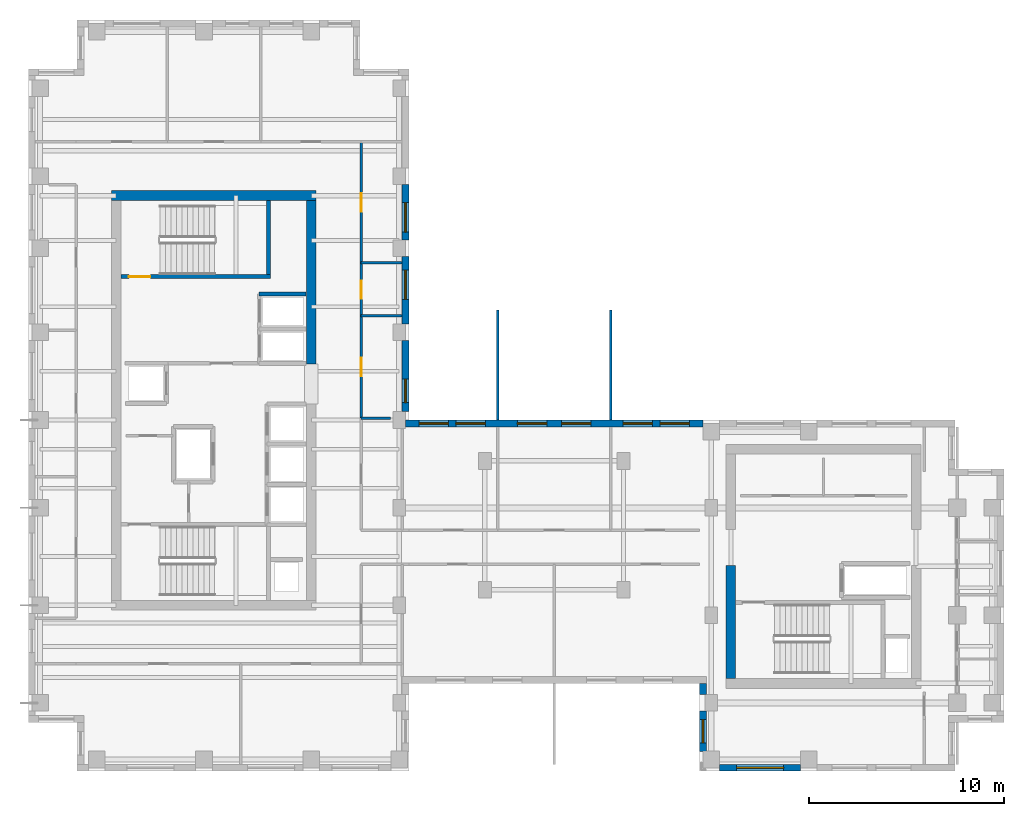
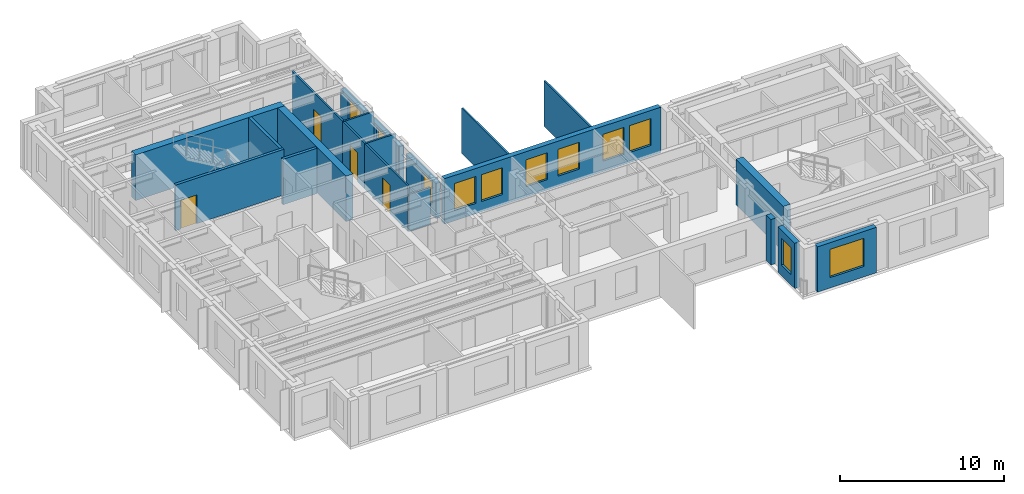
# One storey, part 5 of 10: 21 walls, 11 windows, 4 doors, 15 openings.
"""IFC4 building model written with IfcOpenShell, lengths in metres."""

import ifcopenshell
import ifcopenshell.guid

model = None  # the IFC model being written
_history = None  # IfcOwnerHistory: only IFC2X3 demands one
_inside = {}  # id of a spatial element -> (the spatial element, [elements in it])
_under = {}  # id of a project, library or spatial element -> (it, [spatial elements below it])
_declared = {}  # id of a project -> (the project, [libraries it declares])
_typed = {}  # id of a type object -> (the type object, [elements of that type])
_made_of = {}  # id of a material, layer set ... -> (it, [elements and type objects made of it])


def new_model(schema):
    """Start an empty IFC model of exactly this schema.

    Asked for "IFC4X3", IfcOpenShell would pick the latest addendum, in which some entities
    have other attributes; the version numbers below select the first issue.
    IFC2X3 requires an IfcOwnerHistory on every rooted entity: one is made here for all.
    """
    global model, _history
    if schema == "IFC4X3":
        model = ifcopenshell.file(schema_version=(4, 3, 0, 0))
    else:
        model = ifcopenshell.file(schema=schema)
    _inside.clear()
    _under.clear()
    _declared.clear()
    _typed.clear()
    _made_of.clear()
    _history = None
    if model.schema == "IFC2X3":
        org = make("IfcOrganization", Name="unknown")
        user = make(
            "IfcPersonAndOrganization",
            ThePerson=make("IfcPerson", FamilyName="unknown"),
            TheOrganization=org,
        )
        app = make(
            "IfcApplication",
            ApplicationDeveloper=org,
            Version="unknown",
            ApplicationFullName="unknown",
            ApplicationIdentifier="unknown",
        )
        _history = make(
            "IfcOwnerHistory",
            OwningUser=user,
            OwningApplication=app,
            ChangeAction="ADDED",
            CreationDate=0,
        )
    return model


def make(cls, **values):
    """One entity of the class cls with the attributes given. An attribute that is None is left unset."""
    return model.create_entity(
        cls, **{name: value for name, value in values.items() if value is not None}
    )


def rooted(cls, **values):
    """An entity with a GlobalId (a new one), such as an element, a storey or a relation."""
    return make(cls, GlobalId=ifcopenshell.guid.new(), OwnerHistory=_history, **values)


def si_unit(unit_type, name, prefix=None):
    """IfcSIUnit, for example si_unit("LENGTHUNIT", "METRE", prefix="MILLI")."""
    return make("IfcSIUnit", UnitType=unit_type, Prefix=prefix, Name=name)


def assignment(units):
    """IfcUnitAssignment: the units of a project."""
    return None if units is None else make("IfcUnitAssignment", Units=units)


def point(xyz):
    """IfcCartesianPoint."""
    return None if xyz is None else make("IfcCartesianPoint", Coordinates=xyz)


def direction(xyz):
    """IfcDirection."""
    return None if xyz is None else make("IfcDirection", DirectionRatios=xyz)


def frame(location, z_axis=None, x_axis=None):
    """IfcAxis2Placement3D, a coordinate frame: its origin and axes. An axis left out is left unset."""
    return make(
        "IfcAxis2Placement3D",
        Location=point(location),
        Axis=direction(z_axis),
        RefDirection=direction(x_axis),
    )


def frame_2d(location, x_axis=None):
    """IfcAxis2Placement2D, a coordinate frame in the plane: its origin and x axis."""
    return make(
        "IfcAxis2Placement2D", Location=point(location), RefDirection=direction(x_axis)
    )


def origin():
    """The frame at (0, 0, 0) with its axes left unset."""
    return frame((0.0, 0.0, 0.0))


def place(relative_to, where):
    """IfcLocalPlacement: puts the frame where relative to a parent placement (None: the world)."""
    return make(
        "IfcLocalPlacement", PlacementRelTo=relative_to, RelativePlacement=where
    )


def context(
    kind, dimensions, precision=None, world=None, true_north=None, identifier=None
):
    """IfcGeometricRepresentationContext, for example the 3D "Model" context."""
    return make(
        "IfcGeometricRepresentationContext",
        ContextIdentifier=identifier,
        ContextType=kind,
        CoordinateSpaceDimension=dimensions,
        Precision=precision,
        WorldCoordinateSystem=world,
        TrueNorth=true_north,
    )


def subcontext(parent, identifier, kind, view, scale=None):
    """IfcGeometricRepresentationSubContext, for example "Body" below "Model"."""
    return make(
        "IfcGeometricRepresentationSubContext",
        ContextIdentifier=identifier,
        ContextType=kind,
        ParentContext=parent,
        TargetScale=scale,
        TargetView=view,
    )


def project(units=None, contexts=None):
    """IfcProject with its units and contexts."""
    return rooted(
        "IfcProject",
        Name="project",
        RepresentationContexts=contexts,
        UnitsInContext=assignment(units),
    )


def spatial(cls, under=None, at=None, **own):
    """A site, building, storey or space (cls), placed at a placement, below another one or the project."""
    s = rooted(cls, ObjectPlacement=at, **own)
    if under is not None:
        _under.setdefault(under.id(), (under, []))[1].append(s)
    return s


def profile(cls, at=None, kind="AREA", **sizes):
    """A parametric profile (cls). Its sizes go by their IFC names, for example OverallWidth=200.0."""
    return make(cls, ProfileType=kind, Position=at, **sizes)


def rectangle(**sizes):
    """IfcRectangleProfileDef."""
    return profile("IfcRectangleProfileDef", **sizes)


def extrude(swept, where, along, depth):
    """IfcExtrudedAreaSolid: the profile swept, set in the frame where, extruded along a direction by depth."""
    return make(
        "IfcExtrudedAreaSolid",
        SweptArea=swept,
        Position=where,
        ExtrudedDirection=direction(along),
        Depth=depth,
    )


def shape(context_of_items, identifier, shape_type, items):
    """IfcShapeRepresentation: the items that make up one representation, for example the "Body"."""
    return make(
        "IfcShapeRepresentation",
        ContextOfItems=context_of_items,
        RepresentationIdentifier=identifier,
        RepresentationType=shape_type,
        Items=items,
    )


def source(mapping_origin, context_of_items, identifier, shape_type, items):
    """IfcRepresentationMap: a shape defined once, which mapped items show again and again."""
    return make(
        "IfcRepresentationMap",
        MappingOrigin=mapping_origin,
        MappedRepresentation=shape(context_of_items, identifier, shape_type, items),
    )


def transform(
    local_origin,
    x_axis=None,
    y_axis=None,
    z_axis=None,
    scale=None,
    scale2=None,
    scale3=None,
    uniform=True,
):
    """IfcCartesianTransformationOperator3D, or its non-uniform kind. x_axis, y_axis, z_axis: its Axis1, 2, 3."""
    if uniform:
        return make(
            "IfcCartesianTransformationOperator3D",
            Axis1=direction(x_axis),
            Axis2=direction(y_axis),
            LocalOrigin=point(local_origin),
            Scale=scale,
            Axis3=direction(z_axis),
        )
    return make(
        "IfcCartesianTransformationOperator3DnonUniform",
        Axis1=direction(x_axis),
        Axis2=direction(y_axis),
        LocalOrigin=point(local_origin),
        Scale=scale,
        Axis3=direction(z_axis),
        Scale2=scale2,
        Scale3=scale3,
    )


def mapped(mapping_source, mapping_target):
    """IfcMappedItem: shows the shape of a source again, moved by a transform."""
    return make(
        "IfcMappedItem", MappingSource=mapping_source, MappingTarget=mapping_target
    )


def material(Name=None, Category=None):
    """IfcMaterial."""
    return make("IfcMaterial", Name=Name, Category=Category)


def layer(
    of_material, thickness, ventilated=None, Name=None, Category=None, Priority=None
):
    """IfcMaterialLayer: one layer of a wall or slab, of a material (None: an air gap)."""
    return make(
        "IfcMaterialLayer",
        Material=of_material,
        LayerThickness=thickness,
        IsVentilated=ventilated,
        Name=Name,
        Category=Category,
        Priority=Priority,
    )


def layer_set(layers, Name=None):
    """IfcMaterialLayerSet."""
    return make("IfcMaterialLayerSet", MaterialLayers=layers, LayerSetName=Name)


def made_of(thing, what):
    """Note that an element or type object is made of a material, layer set ...; save() writes the relation."""
    if what is not None:
        _made_of.setdefault(what.id(), (what, []))[1].append(thing)
    return thing


def type_object(cls, material=None, **own):
    """A type object (cls), such as IfcWallType, which elements share."""
    return made_of(rooted(cls, **own), material)


def element(
    cls,
    number,
    at=None,
    inside=None,
    cuts=None,
    type_object=None,
    material=None,
    context=None,
    identifier="Body",
    shape_type=None,
    held_by="IfcProductDefinitionShape",
    body=None,
    shapes=None,
    **own,
):
    """One element of the class cls, such as IfcWall. Its Tag is "e" and its number.

    at: its placement. inside: the storey or other place that contains it. cuts: it is an
    opening in that element (IfcRelVoidsElement). A single representation is given by context,
    identifier, shape_type and body (its items); several are given by shapes. held_by: the class
    of the entity that holds the representations. save() writes the other relations.
    """
    e = rooted(cls, Tag="e%d" % number, ObjectPlacement=at, **own)
    if body is not None:
        shapes = [shape(context, identifier, shape_type, body)]
    if shapes is not None:
        e.Representation = make(held_by, Representations=shapes)
    if inside is not None:
        _inside.setdefault(inside.id(), (inside, []))[1].append(e)
    if cuts is not None:
        rooted(
            "IfcRelVoidsElement", RelatingBuildingElement=cuts, RelatedOpeningElement=e
        )
    if type_object is not None:
        _typed.setdefault(type_object.id(), (type_object, []))[1].append(e)
    return made_of(e, material)


def fill(opening, filler):
    """IfcRelFillsElement: the door or window that sits in an opening."""
    return rooted(
        "IfcRelFillsElement",
        RelatingOpeningElement=opening,
        RelatedBuildingElement=filler,
    )


def aggregate(whole, parts):
    """IfcRelAggregates: a whole, such as a stair, and the parts it consists of."""
    return rooted("IfcRelAggregates", RelatingObject=whole, RelatedObjects=parts)


def save(model, path):
    """Write the relations noted so far, then the file.

    IfcRelAggregates (storeys below a building ...), IfcRelContainedInSpatialStructure (elements
    in a storey), IfcRelDefinesByType, IfcRelAssociatesMaterial and IfcRelDeclares: one each for
    every whole, place, type object, material and project.
    """
    for whole, parts in _under.values():
        aggregate(whole, parts)
    for where, things in _inside.values():
        rooted(
            "IfcRelContainedInSpatialStructure",
            RelatedElements=things,
            RelatingStructure=where,
        )
    for kind, things in _typed.values():
        rooted("IfcRelDefinesByType", RelatedObjects=things, RelatingType=kind)
    for what, things in _made_of.values():
        rooted("IfcRelAssociatesMaterial", RelatedObjects=things, RelatingMaterial=what)
    for by, libraries in _declared.values():
        rooted("IfcRelDeclares", RelatingContext=by, RelatedDefinitions=libraries)
    model.write(path)


model = new_model("IFC4")

# Units and contexts
model_context = context("Model", 3, precision=1e-05, world=origin(), true_north=direction((0.0, 1.0)))
body_context = subcontext(model_context, "Body", "Model", "MODEL_VIEW")
ifc_project = project(units=[si_unit("LENGTHUNIT", "METRE"), si_unit("AREAUNIT", "SQUARE_METRE"), si_unit("VOLUMEUNIT", "CUBIC_METRE"), si_unit("PLANEANGLEUNIT", "RADIAN"), si_unit("MASSUNIT", "GRAM", prefix="KILO")], contexts=[model_context])

# Site, building, storey
site_placement = place(None, origin())
site = spatial("IfcSite", under=ifc_project, at=site_placement, CompositionType="ELEMENT")
building_placement = place(site_placement, origin())
building = spatial("IfcBuilding", under=site, at=building_placement, Name="Kharzan Plaza Tower", CompositionType="ELEMENT")
storey_placement = place(building_placement, frame((0.0, 0.0, 216.0)))
storey = spatial("IfcBuildingStorey", under=building, at=storey_placement, Name="L58", CompositionType="ELEMENT", Elevation=216.0)

# Wall, opening, window
ifc_material_1 = material(Name="Concrete C40/50", Category="concrete")
ifc_layer_1 = layer(ifc_material_1, 0.35009765625)
ifc_layer_set_1 = layer_set([ifc_layer_1], Name="Concrete C40/50")
wall_type_1 = type_object("IfcWallType", Name="WL-EXT-MAS-Z4", PredefinedType="SOLIDWALL", material=ifc_layer_set_1)
wall_1_placement = place(storey_placement, frame((34.574951171875, 3.076904296875, 0.0), z_axis=(0.0, 0.0, 1.0), x_axis=(0.0, -1.0, 0.0)))
wall_1 = element("IfcWall", 1, at=wall_1_placement, inside=storey, type_object=wall_type_1, Name="L58 Masonry-Frame Exterior Wall 28", PredefinedType="SOLIDWALL", context=body_context, shape_type="SweptSolid", body=[
    extrude(rectangle(XDim=2.053955078125, YDim=0.35009765625, at=frame_2d((1.02685546875, 0.0))), origin(), (0.0, 0.0, 1.0), 3.385009765625),
])
opening_1_placement = place(wall_1_placement, frame((0.427001953125, 0.0, 0.780029296875)))
opening_1 = element("IfcOpeningElement", 2, at=opening_1_placement, cuts=wall_1, Name="Opening W3", PredefinedType="OPENING", context=body_context, shape_type="SweptSolid", body=[
    extrude(rectangle(XDim=1.199951171875, YDim=2.0, at=frame_2d((0.60009765625, 1.0))), frame((0.0, 0.18505859375, 0.0), z_axis=(0.0, -1.0, 0.0), x_axis=(1.0, 0.0, 0.0)), (0.0, 0.0, 1.0), 0.3701171875),
])
ifc_material_2 = material(Name="Low-E Double Glazing", Category="glass")
window_type_1 = type_object("IfcWindowType", Name="WN-REC-1200x2100", PartitioningType="SINGLE_PANEL", PredefinedType="WINDOW", material=ifc_material_2)
shared_shape_1 = source(origin(), body_context, "Body", "SweptSolid", [
    extrude(rectangle(XDim=1.199951171875, YDim=2.0, at=frame_2d((0.60009765625, 1.0))), frame((0.0, 0.030029296875, 0.0), z_axis=(0.0, -1.0, 0.0), x_axis=(1.0, 0.0, 0.0)), (0.0, 0.0, 1.0), 0.06005859375),
])
window_1_placement = place(opening_1_placement, origin())
window_1 = element("IfcWindow", 3, at=window_1_placement, inside=storey, type_object=window_type_1, Name="L58 Recessed Solar-Control Window 28-1", OverallHeight=2.0, OverallWidth=1.199951171875, PartitioningType="SINGLE_PANEL", PredefinedType="WINDOW", context=body_context, shape_type="MappedRepresentation", body=[
    mapped(shared_shape_1, transform((0.0, 0.0, 0.0), x_axis=(1.0, 0.0, 0.0), y_axis=(0.0, 1.0, 0.0), z_axis=(0.0, 0.0, 1.0))),
])
fill(opening_1, window_1)

wall_2_placement = place(storey_placement, frame((35.423095703125, 0.175048828125, 0.0), z_axis=(0.0, 0.0, 1.0), x_axis=(1.0, 0.0, 0.0)))
wall_2 = element("IfcWall", 4, at=wall_2_placement, inside=storey, type_object=wall_type_1, Name="L58 Masonry-Frame Exterior Wall 29", PredefinedType="SOLIDWALL", context=body_context, shape_type="SweptSolid", body=[
    extrude(rectangle(XDim=4.15380859375, YDim=0.35009765625, at=frame_2d((2.076904296875, 0.0))), origin(), (0.0, 0.0, 1.0), 3.385009765625),
])
opening_2_placement = place(wall_2_placement, frame((0.876953125, 0.0, 0.780029296875)))
opening_2 = element("IfcOpeningElement", 5, at=opening_2_placement, cuts=wall_2, Name="Opening W2", PredefinedType="OPENING", context=body_context, shape_type="SweptSolid", body=[
    extrude(rectangle(XDim=2.39990234375, YDim=2.10009765625, at=frame_2d((1.199951171875, 1.050048828125))), frame((0.0, 0.18505859375, 0.0), z_axis=(0.0, -1.0, 0.0), x_axis=(1.0, 0.0, 0.0)), (0.0, 0.0, 1.0), 0.3701171875),
])
window_type_2 = type_object("IfcWindowType", Name="WN-REC-2400x2100", PartitioningType="SINGLE_PANEL", PredefinedType="WINDOW", material=ifc_material_2)
shared_shape_2 = source(origin(), body_context, "Body", "SweptSolid", [
    extrude(rectangle(XDim=2.39990234375, YDim=2.10009765625, at=frame_2d((1.199951171875, 1.050048828125))), frame((0.0, 0.030029296875, 0.0), z_axis=(0.0, -1.0, 0.0), x_axis=(1.0, 0.0, 0.0)), (0.0, 0.0, 1.0), 0.06005859375),
])
window_2_placement = place(opening_2_placement, origin())
window_2 = element("IfcWindow", 6, at=window_2_placement, inside=storey, type_object=window_type_2, Name="L58 Wide Recessed Solar-Control Window 29-1", OverallHeight=2.10009765625, OverallWidth=2.39990234375, PartitioningType="SINGLE_PANEL", PredefinedType="WINDOW", context=body_context, shape_type="MappedRepresentation", body=[
    mapped(shared_shape_2, transform((0.0, 0.0, 0.0), x_axis=(1.0, 0.0, 0.0), y_axis=(0.0, 1.0, 0.0), z_axis=(0.0, 0.0, 1.0))),
])
fill(opening_2, window_2)

# Wall, openings, windows
wall_3_placement = place(storey_placement, frame((34.576904296875, 17.824951171875, 0.0), z_axis=(0.0, 0.0, 1.0), x_axis=(-1.0, 0.0, 0.0)))
wall_3 = element("IfcWall", 7, at=wall_3_placement, inside=storey, type_object=wall_type_1, Name="L58 Masonry-Frame Exterior Wall 41", PredefinedType="SOLIDWALL", context=body_context, shape_type="SweptSolid", body=[
    extrude(rectangle(XDim=15.25390625, YDim=0.35009765625, at=frame_2d((7.626953125, 0.0))), origin(), (0.0, 0.0, 1.0), 3.385009765625),
])
opening_3_placement = place(wall_3_placement, frame((0.705810546875, 0.0, 0.780029296875)))
opening_3 = element("IfcOpeningElement", 8, at=opening_3_placement, cuts=wall_3, Name="Opening W5", PredefinedType="OPENING", context=body_context, shape_type="SweptSolid", body=[
    extrude(rectangle(XDim=1.5, YDim=2.0, at=frame_2d((0.75, 1.0))), frame((0.0, 0.18505859375, 0.0), z_axis=(0.0, -1.0, 0.0), x_axis=(1.0, 0.0, 0.0)), (0.0, 0.0, 1.0), 0.3701171875),
])
opening_4_placement = place(wall_3_placement, frame((2.59130859375, 0.0, 0.780029296875)))
opening_4 = element("IfcOpeningElement", 9, at=opening_4_placement, cuts=wall_3, Name="Opening W5", PredefinedType="OPENING", context=body_context, shape_type="SweptSolid", body=[
    extrude(rectangle(XDim=1.5, YDim=2.0, at=frame_2d((0.75, 1.0))), frame((0.0, 0.18505859375, 0.0), z_axis=(0.0, -1.0, 0.0), x_axis=(1.0, 0.0, 0.0)), (0.0, 0.0, 1.0), 0.3701171875),
])
opening_5_placement = place(wall_3_placement, frame((5.74365234375, 0.0, 0.780029296875)))
opening_5 = element("IfcOpeningElement", 10, at=opening_5_placement, cuts=wall_3, Name="Opening W5", PredefinedType="OPENING", context=body_context, shape_type="SweptSolid", body=[
    extrude(rectangle(XDim=1.5, YDim=2.0, at=frame_2d((0.75, 1.0))), frame((0.0, 0.18505859375, 0.0), z_axis=(0.0, -1.0, 0.0), x_axis=(1.0, 0.0, 0.0)), (0.0, 0.0, 1.0), 0.3701171875),
])
opening_6_placement = place(wall_3_placement, frame((8.01025390625, 0.0, 0.780029296875)))
opening_6 = element("IfcOpeningElement", 11, at=opening_6_placement, cuts=wall_3, Name="Opening W5", PredefinedType="OPENING", context=body_context, shape_type="SweptSolid", body=[
    extrude(rectangle(XDim=1.5, YDim=2.0, at=frame_2d((0.75, 1.0))), frame((0.0, 0.18505859375, 0.0), z_axis=(0.0, -1.0, 0.0), x_axis=(1.0, 0.0, 0.0)), (0.0, 0.0, 1.0), 0.3701171875),
])
opening_7_placement = place(wall_3_placement, frame((11.16259765625, 0.0, 0.780029296875)))
opening_7 = element("IfcOpeningElement", 12, at=opening_7_placement, cuts=wall_3, Name="Opening W5", PredefinedType="OPENING", context=body_context, shape_type="SweptSolid", body=[
    extrude(rectangle(XDim=1.5, YDim=2.0, at=frame_2d((0.75, 1.0))), frame((0.0, 0.18505859375, 0.0), z_axis=(0.0, -1.0, 0.0), x_axis=(1.0, 0.0, 0.0)), (0.0, 0.0, 1.0), 0.3701171875),
])
opening_8_placement = place(wall_3_placement, frame((13.04833984375, 0.0, 0.780029296875)))
opening_8 = element("IfcOpeningElement", 13, at=opening_8_placement, cuts=wall_3, Name="Opening W5", PredefinedType="OPENING", context=body_context, shape_type="SweptSolid", body=[
    extrude(rectangle(XDim=1.5, YDim=2.0, at=frame_2d((0.75, 1.0))), frame((0.0, 0.18505859375, 0.0), z_axis=(0.0, -1.0, 0.0), x_axis=(1.0, 0.0, 0.0)), (0.0, 0.0, 1.0), 0.3701171875),
])
window_type_3 = type_object("IfcWindowType", Name="WN-SLT-1500x2000", PartitioningType="SINGLE_PANEL", PredefinedType="WINDOW", material=ifc_material_2)
shared_shape_3 = source(origin(), body_context, "Body", "SweptSolid", [
    extrude(rectangle(XDim=1.5, YDim=2.0, at=frame_2d((0.75, 1.0))), frame((0.0, 0.030029296875, 0.0), z_axis=(0.0, -1.0, 0.0), x_axis=(1.0, 0.0, 0.0)), (0.0, 0.0, 1.0), 0.06005859375),
])
window_3_placement = place(opening_3_placement, origin())
window_3 = element("IfcWindow", 14, at=window_3_placement, inside=storey, type_object=window_type_3, Name="L58 Recessed Solar-Control Window 41-1", OverallHeight=2.0, OverallWidth=1.5, PartitioningType="SINGLE_PANEL", PredefinedType="WINDOW", context=body_context, shape_type="MappedRepresentation", body=[
    mapped(shared_shape_3, transform((0.0, 0.0, 0.0), x_axis=(1.0, 0.0, 0.0), y_axis=(0.0, 1.0, 0.0), z_axis=(0.0, 0.0, 1.0))),
])
fill(opening_3, window_3)
window_4_placement = place(opening_4_placement, origin())
window_4 = element("IfcWindow", 15, at=window_4_placement, inside=storey, type_object=window_type_3, Name="L58 Recessed Solar-Control Window 41-2", OverallHeight=2.0, OverallWidth=1.5, PartitioningType="SINGLE_PANEL", PredefinedType="WINDOW", context=body_context, shape_type="MappedRepresentation", body=[
    mapped(shared_shape_3, transform((0.0, 0.0, 0.0), x_axis=(1.0, 0.0, 0.0), y_axis=(0.0, 1.0, 0.0), z_axis=(0.0, 0.0, 1.0))),
])
fill(opening_4, window_4)
window_5_placement = place(opening_5_placement, origin())
window_5 = element("IfcWindow", 16, at=window_5_placement, inside=storey, type_object=window_type_3, Name="L58 Recessed Solar-Control Window 41-3", OverallHeight=2.0, OverallWidth=1.5, PartitioningType="SINGLE_PANEL", PredefinedType="WINDOW", context=body_context, shape_type="MappedRepresentation", body=[
    mapped(shared_shape_3, transform((0.0, 0.0, 0.0), x_axis=(1.0, 0.0, 0.0), y_axis=(0.0, 1.0, 0.0), z_axis=(0.0, 0.0, 1.0))),
])
fill(opening_5, window_5)
window_6_placement = place(opening_6_placement, origin())
window_6 = element("IfcWindow", 17, at=window_6_placement, inside=storey, type_object=window_type_3, Name="L58 Recessed Solar-Control Window 41-4", OverallHeight=2.0, OverallWidth=1.5, PartitioningType="SINGLE_PANEL", PredefinedType="WINDOW", context=body_context, shape_type="MappedRepresentation", body=[
    mapped(shared_shape_3, transform((0.0, 0.0, 0.0), x_axis=(1.0, 0.0, 0.0), y_axis=(0.0, 1.0, 0.0), z_axis=(0.0, 0.0, 1.0))),
])
fill(opening_6, window_6)
window_7_placement = place(opening_7_placement, origin())
window_7 = element("IfcWindow", 18, at=window_7_placement, inside=storey, type_object=window_type_3, Name="L58 Recessed Solar-Control Window 41-5", OverallHeight=2.0, OverallWidth=1.5, PartitioningType="SINGLE_PANEL", PredefinedType="WINDOW", context=body_context, shape_type="MappedRepresentation", body=[
    mapped(shared_shape_3, transform((0.0, 0.0, 0.0), x_axis=(1.0, 0.0, 0.0), y_axis=(0.0, 1.0, 0.0), z_axis=(0.0, 0.0, 1.0))),
])
fill(opening_7, window_7)
window_8_placement = place(opening_8_placement, origin())
window_8 = element("IfcWindow", 19, at=window_8_placement, inside=storey, type_object=window_type_3, Name="L58 Recessed Solar-Control Window 41-6", OverallHeight=2.0, OverallWidth=1.5, PartitioningType="SINGLE_PANEL", PredefinedType="WINDOW", context=body_context, shape_type="MappedRepresentation", body=[
    mapped(shared_shape_3, transform((0.0, 0.0, 0.0), x_axis=(1.0, 0.0, 0.0), y_axis=(0.0, 1.0, 0.0), z_axis=(0.0, 0.0, 1.0))),
])
fill(opening_8, window_8)

# Wall, opening, window
wall_4_placement = place(storey_placement, frame((19.324951171875, 18.423095703125, 0.0), z_axis=(0.0, 0.0, 1.0), x_axis=(0.0, 1.0, 0.0)))
wall_4 = element("IfcWall", 20, at=wall_4_placement, inside=storey, type_object=wall_type_1, Name="L58 Masonry-Frame Exterior Wall 42", PredefinedType="SOLIDWALL", context=body_context, shape_type="SweptSolid", body=[
    extrude(rectangle(XDim=3.65380859375, YDim=0.35009765625, at=frame_2d((1.826904296875, 0.0))), origin(), (0.0, 0.0, 1.0), 2.618896484375),
])
opening_9_placement = place(wall_4_placement, frame((0.469970703125, 0.0, 0.780029296875)))
opening_9 = element("IfcOpeningElement", 21, at=opening_9_placement, cuts=wall_4, Name="Opening W3", PredefinedType="OPENING", context=body_context, shape_type="SweptSolid", body=[
    extrude(rectangle(XDim=1.199951171875, YDim=1.658935546875, at=frame_2d((0.60009765625, 0.82958984375))), frame((0.0, 0.18505859375, 0.0), z_axis=(0.0, -1.0, 0.0), x_axis=(1.0, 0.0, 0.0)), (0.0, 0.0, 1.0), 0.3701171875),
])
shared_shape_4 = source(origin(), body_context, "Body", "SweptSolid", [
    extrude(rectangle(XDim=1.199951171875, YDim=1.658935546875, at=frame_2d((0.60009765625, 0.82958984375))), frame((0.0, 0.030029296875, 0.0), z_axis=(0.0, -1.0, 0.0), x_axis=(1.0, 0.0, 0.0)), (0.0, 0.0, 1.0), 0.06005859375),
])
window_9_placement = place(opening_9_placement, origin())
window_9 = element("IfcWindow", 22, at=window_9_placement, inside=storey, type_object=window_type_1, Name="L58 Recessed Solar-Control Window 42-1", OverallHeight=1.658935546875, OverallWidth=1.199951171875, PartitioningType="SINGLE_PANEL", PredefinedType="WINDOW", context=body_context, shape_type="MappedRepresentation", body=[
    mapped(shared_shape_4, transform((0.0, 0.0, 0.0), x_axis=(1.0, 0.0, 0.0), y_axis=(0.0, 1.0, 0.0), z_axis=(0.0, 0.0, 1.0))),
])
fill(opening_9, window_9)

wall_5_placement = place(storey_placement, frame((19.324951171875, 22.923095703125, 0.0), z_axis=(0.0, 0.0, 1.0), x_axis=(0.0, 1.0, 0.0)))
wall_5 = element("IfcWall", 23, at=wall_5_placement, inside=storey, type_object=wall_type_1, Name="L58 Masonry-Frame Exterior Wall 43", PredefinedType="SOLIDWALL", context=body_context, shape_type="SweptSolid", body=[
    extrude(rectangle(XDim=3.453857421875, YDim=0.35009765625, at=frame_2d((1.72705078125, 0.0))), origin(), (0.0, 0.0, 1.0), 2.618896484375),
])
opening_10_placement = place(wall_5_placement, frame((1.255615234375, 0.0, 0.780029296875)))
opening_10 = element("IfcOpeningElement", 24, at=opening_10_placement, cuts=wall_5, Name="Opening W5", PredefinedType="OPENING", context=body_context, shape_type="SweptSolid", body=[
    extrude(rectangle(XDim=1.5, YDim=1.658935546875, at=frame_2d((0.75, 0.82958984375))), frame((0.0, 0.18505859375, 0.0), z_axis=(0.0, -1.0, 0.0), x_axis=(1.0, 0.0, 0.0)), (0.0, 0.0, 1.0), 0.3701171875),
])
shared_shape_5 = source(origin(), body_context, "Body", "SweptSolid", [
    extrude(rectangle(XDim=1.5, YDim=1.658935546875, at=frame_2d((0.75, 0.82958984375))), frame((0.0, 0.030029296875, 0.0), z_axis=(0.0, -1.0, 0.0), x_axis=(1.0, 0.0, 0.0)), (0.0, 0.0, 1.0), 0.06005859375),
])
window_10_placement = place(opening_10_placement, origin())
window_10 = element("IfcWindow", 25, at=window_10_placement, inside=storey, type_object=window_type_3, Name="L58 Recessed Solar-Control Window 43-1", OverallHeight=1.658935546875, OverallWidth=1.5, PartitioningType="SINGLE_PANEL", PredefinedType="WINDOW", context=body_context, shape_type="MappedRepresentation", body=[
    mapped(shared_shape_5, transform((0.0, 0.0, 0.0), x_axis=(1.0, 0.0, 0.0), y_axis=(0.0, 1.0, 0.0), z_axis=(0.0, 0.0, 1.0))),
])
fill(opening_10, window_10)

wall_6_placement = place(storey_placement, frame((19.324951171875, 27.222900390625, 0.0), z_axis=(0.0, 0.0, 1.0), x_axis=(0.0, 1.0, 0.0)))
wall_6 = element("IfcWall", 26, at=wall_6_placement, inside=storey, type_object=wall_type_1, Name="L58 Masonry-Frame Exterior Wall 44", PredefinedType="SOLIDWALL", context=body_context, shape_type="SweptSolid", body=[
    extrude(rectangle(XDim=2.85400390625, YDim=0.35009765625, at=frame_2d((1.427001953125, 0.0))), origin(), (0.0, 0.0, 1.0), 2.618896484375),
])
opening_11_placement = place(wall_6_placement, frame((0.411376953125, 0.0, 0.780029296875)))
opening_11 = element("IfcOpeningElement", 27, at=opening_11_placement, cuts=wall_6, Name="Opening W5", PredefinedType="OPENING", context=body_context, shape_type="SweptSolid", body=[
    extrude(rectangle(XDim=1.5, YDim=1.658935546875, at=frame_2d((0.75, 0.82958984375))), frame((0.0, 0.18505859375, 0.0), z_axis=(0.0, -1.0, 0.0), x_axis=(1.0, 0.0, 0.0)), (0.0, 0.0, 1.0), 0.3701171875),
])
window_11_placement = place(opening_11_placement, origin())
window_11 = element("IfcWindow", 28, at=window_11_placement, inside=storey, type_object=window_type_3, Name="L58 Recessed Solar-Control Window 44-1", OverallHeight=1.658935546875, OverallWidth=1.5, PartitioningType="SINGLE_PANEL", PredefinedType="WINDOW", context=body_context, shape_type="MappedRepresentation", body=[
    mapped(shared_shape_5, transform((0.0, 0.0, 0.0), x_axis=(1.0, 0.0, 0.0), y_axis=(0.0, 1.0, 0.0), z_axis=(0.0, 0.0, 1.0))),
])
fill(opening_11, window_11)

# Wall, opening, door
ifc_material_3 = material(Name="Fire-Rated Gypsum Board Partition", Category="gypsum")
ifc_layer_2 = layer(ifc_material_3, 0.125)
ifc_layer_set_2 = layer_set([ifc_layer_2], Name="Fire-Rated Gypsum Board Partition")
wall_type_2 = type_object("IfcWallType", Name="WL-INT-PART-125", PredefinedType="PARTITIONING", material=ifc_layer_set_2)
wall_7_placement = place(storey_placement, frame((17.050048828125, 18.10009765625, 0.0), z_axis=(0.0, 0.0, 1.0), x_axis=(0.0, 1.0, 0.0)))
wall_7 = element("IfcWall", 29, at=wall_7_placement, inside=storey, type_object=wall_type_2, Name="L58 Interior Partition SH-AEWN2", PredefinedType="PARTITIONING", context=body_context, shape_type="SweptSolid", body=[
    extrude(rectangle(XDim=5.25, YDim=0.125, at=frame_2d((2.625, 0.0))), origin(), (0.0, 0.0, 1.0), 3.385009765625),
])
opening_12_placement = place(wall_7_placement, frame((2.14990234375, 0.0, 0.0)))
opening_12 = element("IfcOpeningElement", 30, at=opening_12_placement, cuts=wall_7, Name="Opening OD1", PredefinedType="OPENING", context=body_context, shape_type="SweptSolid", body=[
    extrude(rectangle(XDim=0.949951171875, YDim=2.14990234375, at=frame_2d((0.47509765625, 1.074951171875))), frame((0.0, 0.072509765625, 0.0), z_axis=(0.0, -1.0, 0.0), x_axis=(1.0, 0.0, 0.0)), (0.0, 0.0, 1.0), 0.14501953125),
])
ifc_material_4 = material(Name="Acoustic Solid-Core Stained Oak", Category="timber")
door_type_1 = type_object("IfcDoorType", Name="DR-OFF-SINGLE", OperationType="NOTDEFINED", PredefinedType="DOOR", material=ifc_material_4)
shared_shape_6 = source(origin(), body_context, "Body", "SweptSolid", [
    extrude(rectangle(XDim=0.949951171875, YDim=2.14990234375, at=frame_2d((0.47509765625, 1.074951171875))), frame((0.0, 0.02490234375, 0.0), z_axis=(0.0, -1.0, 0.0), x_axis=(1.0, 0.0, 0.0)), (0.0, 0.0, 1.0), 0.050048828125),
])
door_1_placement = place(opening_12_placement, origin())
door_1 = element("IfcDoor", 31, at=door_1_placement, inside=storey, type_object=door_type_1, Name="L58 Slot Studio Door", OperationType="SINGLE_SWING_RIGHT", OverallHeight=2.14990234375, OverallWidth=0.949951171875, PredefinedType="DOOR", context=body_context, shape_type="MappedRepresentation", body=[
    mapped(shared_shape_6, transform((0.0, 0.0, 0.0), x_axis=(1.0, 0.0, 0.0), y_axis=(0.0, 1.0, 0.0), z_axis=(0.0, 0.0, 1.0))),
])
fill(opening_12, door_1)

wall_8_placement = place(storey_placement, frame((17.050048828125, 26.050048828125, 0.0), z_axis=(0.0, 0.0, 1.0), x_axis=(0.0, 1.0, 0.0)))
wall_8 = element("IfcWall", 32, at=wall_8_placement, inside=storey, type_object=wall_type_2, Name="L58 Interior Partition SH-AEWN3", PredefinedType="PARTITIONING", context=body_context, shape_type="SweptSolid", body=[
    extrude(rectangle(XDim=6.199951171875, YDim=0.125, at=frame_2d((3.10009765625, 0.0))), origin(), (0.0, 0.0, 1.0), 3.385009765625),
])
opening_13_placement = place(wall_8_placement, frame((2.625, 0.0, 0.0)))
opening_13 = element("IfcOpeningElement", 33, at=opening_13_placement, cuts=wall_8, Name="Opening OD1", PredefinedType="OPENING", context=body_context, shape_type="SweptSolid", body=[
    extrude(rectangle(XDim=0.949951171875, YDim=2.14990234375, at=frame_2d((0.47509765625, 1.074951171875))), frame((0.0, 0.072509765625, 0.0), z_axis=(0.0, -1.0, 0.0), x_axis=(1.0, 0.0, 0.0)), (0.0, 0.0, 1.0), 0.14501953125),
])
door_2_placement = place(opening_13_placement, origin())
door_2 = element("IfcDoor", 34, at=door_2_placement, inside=storey, type_object=door_type_1, Name="L58 Staff Tea Point Door", OperationType="SINGLE_SWING_RIGHT", OverallHeight=2.14990234375, OverallWidth=0.949951171875, PredefinedType="DOOR", context=body_context, shape_type="MappedRepresentation", body=[
    mapped(shared_shape_6, transform((0.0, 0.0, 0.0), x_axis=(1.0, 0.0, 0.0), y_axis=(0.0, 1.0, 0.0), z_axis=(0.0, 0.0, 1.0))),
])
fill(opening_13, door_2)

wall_9_placement = place(storey_placement, frame((17.050048828125, 23.35009765625, 0.0), z_axis=(0.0, 0.0, 1.0), x_axis=(0.0, 1.0, 0.0)))
wall_9 = element("IfcWall", 35, at=wall_9_placement, inside=storey, type_object=wall_type_2, Name="L58 Interior Partition SH-AEWW", PredefinedType="PARTITIONING", context=body_context, shape_type="SweptSolid", body=[
    extrude(rectangle(XDim=2.699951171875, YDim=0.125, at=frame_2d((1.35009765625, 0.0))), origin(), (0.0, 0.0, 1.0), 3.385009765625),
])
opening_14_placement = place(wall_9_placement, frame((0.875, 0.0, 0.0)))
opening_14 = element("IfcOpeningElement", 36, at=opening_14_placement, cuts=wall_9, Name="Opening WD1", PredefinedType="OPENING", context=body_context, shape_type="SweptSolid", body=[
    extrude(rectangle(XDim=0.89990234375, YDim=2.14990234375, at=frame_2d((0.449951171875, 1.074951171875))), frame((0.0, 0.072509765625, 0.0), z_axis=(0.0, -1.0, 0.0), x_axis=(1.0, 0.0, 0.0)), (0.0, 0.0, 1.0), 0.14501953125),
])
ifc_material_5 = material(Name="Moisture-Resistant Fire-Rated Laminate", Category="timber")
door_type_2 = type_object("IfcDoorType", Name="DR-WC-900", OperationType="NOTDEFINED", PredefinedType="DOOR", material=ifc_material_5)
shared_shape_7 = source(origin(), body_context, "Body", "SweptSolid", [
    extrude(rectangle(XDim=0.89990234375, YDim=2.14990234375, at=frame_2d((0.449951171875, 1.074951171875))), frame((0.0, 0.02490234375, 0.0), z_axis=(0.0, -1.0, 0.0), x_axis=(1.0, 0.0, 0.0)), (0.0, 0.0, 1.0), 0.050048828125),
])
door_3_placement = place(opening_14_placement, origin())
door_3 = element("IfcDoor", 37, at=door_3_placement, inside=storey, type_object=door_type_2, Name="L58 Wing A Washroom Door", OperationType="SINGLE_SWING_LEFT", OverallHeight=2.14990234375, OverallWidth=0.89990234375, PredefinedType="DOOR", context=body_context, shape_type="MappedRepresentation", body=[
    mapped(shared_shape_7, transform((0.0, 0.0, 0.0), x_axis=(1.0, 0.0, 0.0), y_axis=(0.0, 1.0, 0.0), z_axis=(0.0, 0.0, 1.0))),
])
fill(opening_14, door_3)

ifc_material_6 = material(Name="Concrete C50/60", Category="concrete")
ifc_layer_3 = layer(ifc_material_6, 0.199951171875)
ifc_layer_set_3 = layer_set([ifc_layer_3], Name="Concrete C50/60")
wall_type_3 = type_object("IfcWallType", Name="WL-SHAFT-RC200", PredefinedType="SHEAR", material=ifc_layer_set_3)
wall_10_placement = place(storey_placement, frame((4.751953125, 25.344970703125, 0.0), z_axis=(0.0, 0.0, 1.0), x_axis=(1.0, 0.0, 0.0)))
wall_10 = element("IfcWall", 38, at=wall_10_placement, inside=storey, type_object=wall_type_3, Name="L58 Stair ST-2 South RC Shaft Wall", PredefinedType="SHEAR", context=body_context, shape_type="SweptSolid", body=[
    extrude(rectangle(XDim=7.653076171875, YDim=0.199951171875, at=frame_2d((3.82666015625, 0.0))), origin(), (0.0, 0.0, 1.0), 3.39990234375),
])
opening_15_placement = place(wall_10_placement, frame((0.39990234375, 0.0, 0.0)))
opening_15 = element("IfcOpeningElement", 39, at=opening_15_placement, cuts=wall_10, Name="Opening SD1", PredefinedType="OPENING", context=body_context, shape_type="SweptSolid", body=[
    extrude(rectangle(XDim=1.10009765625, YDim=2.14990234375, at=frame_2d((0.550048828125, 1.074951171875))), frame((0.0, 0.10986328125, 0.0), z_axis=(0.0, -1.0, 0.0), x_axis=(1.0, 0.0, 0.0)), (0.0, 0.0, 1.0), 0.219970703125),
])
ifc_material_7 = material(Name="Fire-Rated Hollow Galvanized Steel", Category="steel")
door_type_3 = type_object("IfcDoorType", Name="DR-STAIR-FD120", OperationType="NOTDEFINED", PredefinedType="DOOR", material=ifc_material_7)
shared_shape_8 = source(origin(), body_context, "Body", "SweptSolid", [
    extrude(rectangle(XDim=1.10009765625, YDim=2.14990234375, at=frame_2d((0.550048828125, 1.074951171875))), frame((0.0, 0.02490234375, 0.0), z_axis=(0.0, -1.0, 0.0), x_axis=(1.0, 0.0, 0.0)), (0.0, 0.0, 1.0), 0.050048828125),
])
door_4_placement = place(opening_15_placement, origin())
door_4 = element("IfcDoor", 40, at=door_4_placement, inside=storey, type_object=door_type_3, Name="L58 Stair ST-2 Fire Exit Door", OperationType="SINGLE_SWING_LEFT", OverallHeight=2.14990234375, OverallWidth=1.10009765625, PredefinedType="DOOR", context=body_context, shape_type="MappedRepresentation", body=[
    mapped(shared_shape_8, transform((0.0, 0.0, 0.0), x_axis=(1.0, 0.0, 0.0), y_axis=(0.0, 1.0, 0.0), z_axis=(0.0, 0.0, 1.0))),
])
fill(opening_15, door_4)

# Walls
shared_shape_9 = source(origin(), body_context, "Body", "SweptSolid", [
    extrude(rectangle(XDim=2.097900390625, YDim=0.125, at=frame_2d((1.048828125, 0.0))), origin(), (0.0, 0.0, 1.0), 3.385009765625),
])
for number, where, z_axis, x_axis, name in (
    (41, (17.050048828125, 23.35009765625, 0.0), (0.0, 0.0, 1.0), (1.0, 0.0, 0.0), "L58 Interior Partition SH-AEH-233"),
    (42, (17.050048828125, 26.050048828125, 0.0), (0.0, 0.0, 1.0), (1.0, 0.0, 0.0), "L58 Interior Partition SH-AEH-260"),
):
    element("IfcWall", number, at=place(storey_placement, frame(where, z_axis=z_axis, x_axis=x_axis)), inside=storey, type_object=wall_type_2, Name=name, PredefinedType="PARTITIONING", context=body_context, shape_type="MappedRepresentation", body=[
        mapped(shared_shape_9, transform((0.0, 0.0, 0.0), x_axis=(1.0, 0.0, 0.0), y_axis=(0.0, 1.0, 0.0), z_axis=(0.0, 0.0, 1.0))),
    ])
shared_shape_10 = source(origin(), body_context, "Body", "SweptSolid", [
    extrude(rectangle(XDim=0.578857421875, YDim=0.35009765625, at=frame_2d((0.28955078125, 0.0))), origin(), (0.0, 0.0, 1.0), 3.385009765625),
])
wall_11_placement = place(storey_placement, frame((34.574951171875, 4.501953125, 0.0), z_axis=(0.0, 0.0, 1.0), x_axis=(0.0, -1.0, 0.0)))
element("IfcWall", 43, at=wall_11_placement, inside=storey, type_object=wall_type_1, Name="L58 Masonry-Frame Exterior Wall 27", PredefinedType="SOLIDWALL", context=body_context, shape_type="MappedRepresentation", body=[
    mapped(shared_shape_10, transform((0.0, 0.0, 0.0), x_axis=(1.0, 0.0, 0.0), y_axis=(0.0, 1.0, 0.0), z_axis=(0.0, 0.0, 1.0))),
])
shared_shape_11 = source(origin(), body_context, "Body", "SweptSolid", [
    extrude(rectangle(XDim=5.64794921875, YDim=0.125, at=frame_2d((2.823974609375, 0.0))), origin(), (0.0, 0.0, 1.0), 3.385009765625),
])
for number, where, z_axis, x_axis, name in (
    (44, (24.050048828125, 18.001953125, 0.0), (0.0, 0.0, 1.0), (0.0, 1.0, 0.0), "L58 Interior Partition SH-SPML-S2"),
    (45, (29.85009765625, 18.001953125, 0.0), (0.0, 0.0, 1.0), (0.0, 1.0, 0.0), "L58 Interior Partition SH-SPMR-S2"),
):
    element("IfcWall", number, at=place(storey_placement, frame(where, z_axis=z_axis, x_axis=x_axis)), inside=storey, type_object=wall_type_2, Name=name, PredefinedType="PARTITIONING", context=body_context, shape_type="MappedRepresentation", body=[
        mapped(shared_shape_11, transform((0.0, 0.0, 0.0), x_axis=(1.0, 0.0, 0.0), y_axis=(0.0, 1.0, 0.0), z_axis=(0.0, 0.0, 1.0))),
    ])
ifc_layer_4 = layer(ifc_material_1, 0.199951171875)
ifc_layer_set_4 = layer_set([ifc_layer_4], Name="Concrete C40/50")
wall_type_4 = type_object("IfcWallType", Name="WL-INT-SHAFT-200", PredefinedType="PARTITIONING", material=ifc_layer_set_4)
shared_shape_12 = source(origin(), body_context, "Body", "SweptSolid", [
    extrude(rectangle(XDim=2.389892578125, YDim=0.199951171875, at=frame_2d((1.19482421875, 0.0))), origin(), (0.0, 0.0, 1.0), 3.385009765625),
])
wall_12_placement = place(storey_placement, frame((11.830078125, 24.4599609375, 0.0), z_axis=(0.0, 0.0, 1.0), x_axis=(1.0, 0.0, 0.0)))
element("IfcWall", 46, at=wall_12_placement, inside=storey, type_object=wall_type_4, Name="L58 Interior Partition SHF-FFL-2-N", PredefinedType="PARTITIONING", context=body_context, shape_type="MappedRepresentation", body=[
    mapped(shared_shape_12, transform((0.0, 0.0, 0.0), x_axis=(1.0, 0.0, 0.0), y_axis=(0.0, 1.0, 0.0), z_axis=(0.0, 0.0, 1.0))),
])
ifc_layer_5 = layer(ifc_material_6, 0.5)
ifc_layer_set_5 = layer_set([ifc_layer_5], Name="Concrete C50/60")
wall_type_5 = type_object("IfcWallType", Name="WL-CORE-500", PredefinedType="SHEAR", material=ifc_layer_set_5)
shared_shape_13 = source(origin(), body_context, "Body", "SweptSolid", [
    extrude(rectangle(XDim=8.3701171875, YDim=0.5, at=frame_2d((4.18505859375, 0.0))), origin(), (0.0, 0.0, 1.0), 3.39990234375),
])
wall_13_placement = place(storey_placement, frame((14.5, 20.8798828125, 0.0), z_axis=(0.0, 0.0, 1.0), x_axis=(0.0, 1.0, 0.0)))
element("IfcWall", 47, at=wall_13_placement, inside=storey, type_object=wall_type_5, Name="L58 CORE-A east shear pier 2", PredefinedType="SHEAR", context=body_context, shape_type="MappedRepresentation", body=[
    mapped(shared_shape_13, transform((0.0, 0.0, 0.0), x_axis=(1.0, 0.0, 0.0), y_axis=(0.0, 1.0, 0.0), z_axis=(0.0, 0.0, 1.0))),
])
shared_shape_14 = source(origin(), body_context, "Body", "SweptSolid", [
    extrude(rectangle(XDim=10.5, YDim=0.5, at=frame_2d((5.25, 0.0))), origin(), (0.0, 0.0, 1.0), 3.39990234375),
])
wall_14_placement = place(storey_placement, frame((4.25, 29.5, 0.0), z_axis=(0.0, 0.0, 1.0), x_axis=(1.0, 0.0, 0.0)))
element("IfcWall", 48, at=wall_14_placement, inside=storey, type_object=wall_type_5, Name="L58 CORE-A north RC shear wall", PredefinedType="SHEAR", context=body_context, shape_type="MappedRepresentation", body=[
    mapped(shared_shape_14, transform((0.0, 0.0, 0.0), x_axis=(1.0, 0.0, 0.0), y_axis=(0.0, 1.0, 0.0), z_axis=(0.0, 0.0, 1.0))),
])
shared_shape_15 = source(origin(), body_context, "Body", "SweptSolid", [
    extrude(rectangle(XDim=5.800048828125, YDim=0.5, at=frame_2d((2.89990234375, 0.0))), origin(), (0.0, 0.0, 1.0), 3.39990234375),
])
wall_15_placement = place(storey_placement, frame((36.0, 4.75, 0.0), z_axis=(0.0, 0.0, 1.0), x_axis=(0.0, 1.0, 0.0)))
element("IfcWall", 49, at=wall_15_placement, inside=storey, type_object=wall_type_5, Name="L58 CORE-B west shear pier 1", PredefinedType="SHEAR", context=body_context, shape_type="MappedRepresentation", body=[
    mapped(shared_shape_15, transform((0.0, 0.0, 0.0), x_axis=(1.0, 0.0, 0.0), y_axis=(0.0, 1.0, 0.0), z_axis=(0.0, 0.0, 1.0))),
])
shared_shape_16 = source(origin(), body_context, "Body", "SweptSolid", [
    extrude(rectangle(XDim=1.5, YDim=0.125, at=frame_2d((0.75, 0.0))), origin(), (0.0, 0.0, 1.0), 2.77294921875),
])
wall_16_placement = place(storey_placement, frame((17.050048828125, 18.10009765625, 0.0), z_axis=(0.0, 0.0, 1.0), x_axis=(1.0, 0.0, 0.0)))
element("IfcWall", 50, at=wall_16_placement, inside=storey, type_object=wall_type_2, Name="L58 Interior Partition SH-AEH-181", PredefinedType="PARTITIONING", context=body_context, shape_type="MappedRepresentation", body=[
    mapped(shared_shape_16, transform((0.0, 0.0, 0.0), x_axis=(1.0, 0.0, 0.0), y_axis=(0.0, 1.0, 0.0), z_axis=(0.0, 0.0, 1.0))),
])
shared_shape_17 = source(origin(), body_context, "Body", "SweptSolid", [
    extrude(rectangle(XDim=3.802978515625, YDim=0.199951171875, at=frame_2d((1.9013671875, 0.0))), origin(), (0.0, 0.0, 1.0), 3.39990234375),
])
wall_17_placement = place(storey_placement, frame((12.304931640625, 25.445068359375, 0.0), z_axis=(0.0, 0.0, 1.0), x_axis=(0.0, 1.0, 0.0)))
element("IfcWall", 51, at=wall_17_placement, inside=storey, type_object=wall_type_3, Name="L58 Stair ST-2 East RC Shaft Wall", PredefinedType="SHEAR", context=body_context, shape_type="MappedRepresentation", body=[
    mapped(shared_shape_17, transform((0.0, 0.0, 0.0), x_axis=(1.0, 0.0, 0.0), y_axis=(0.0, 1.0, 0.0), z_axis=(0.0, 0.0, 1.0))),
])

save(model, "model.ifc")
